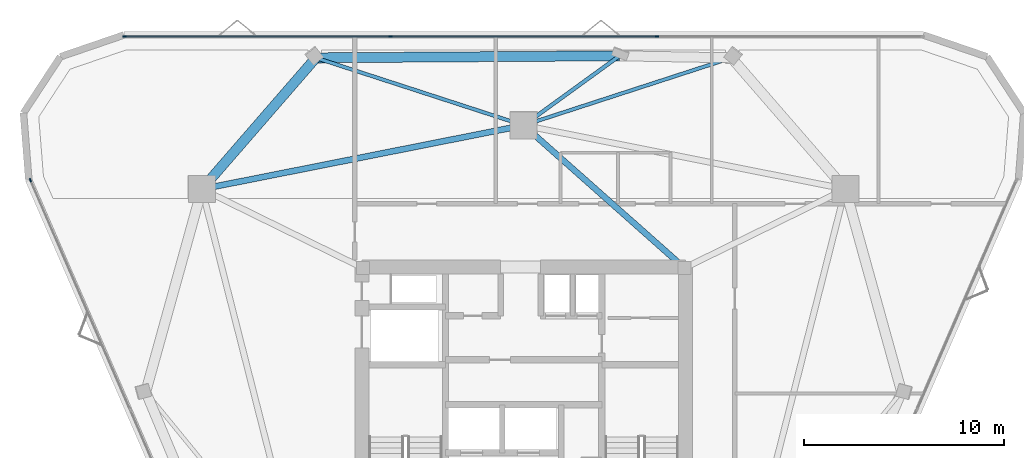
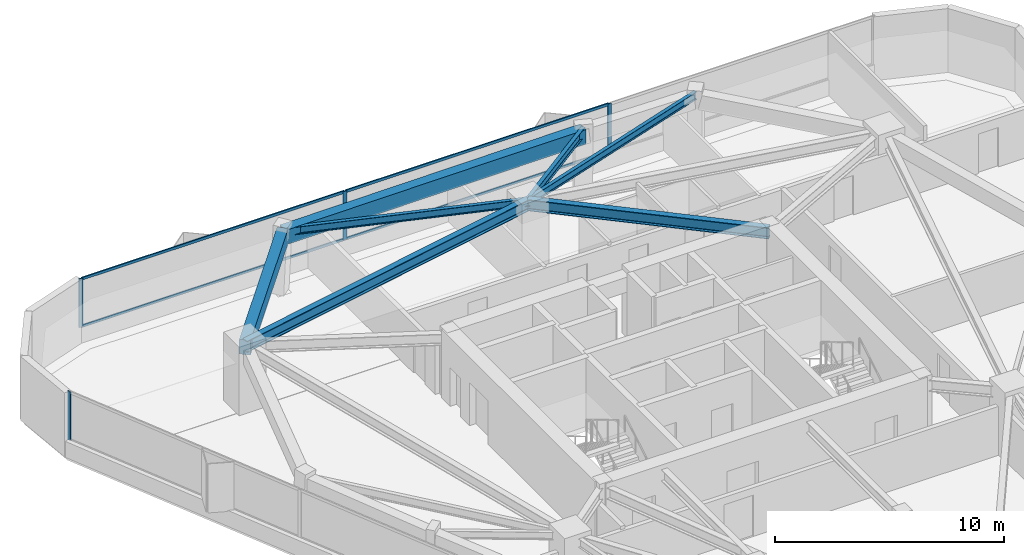
# One storey, part 7 of 13: 8 members, 7 beams, 2 elements without a shape of their own.
"""IFC4 building model written with IfcOpenShell, lengths in metres."""

import ifcopenshell
import ifcopenshell.guid

model = None  # the IFC model being written
_history = None  # IfcOwnerHistory: only IFC2X3 demands one
_inside = {}  # id of a spatial element -> (the spatial element, [elements in it])
_under = {}  # id of a project, library or spatial element -> (it, [spatial elements below it])
_declared = {}  # id of a project -> (the project, [libraries it declares])
_typed = {}  # id of a type object -> (the type object, [elements of that type])
_made_of = {}  # id of a material, layer set ... -> (it, [elements and type objects made of it])


def new_model(schema):
    """Start an empty IFC model of exactly this schema.

    Asked for "IFC4X3", IfcOpenShell would pick the latest addendum, in which some entities
    have other attributes; the version numbers below select the first issue.
    IFC2X3 requires an IfcOwnerHistory on every rooted entity: one is made here for all.
    """
    global model, _history
    if schema == "IFC4X3":
        model = ifcopenshell.file(schema_version=(4, 3, 0, 0))
    else:
        model = ifcopenshell.file(schema=schema)
    _inside.clear()
    _under.clear()
    _declared.clear()
    _typed.clear()
    _made_of.clear()
    _history = None
    if model.schema == "IFC2X3":
        org = make("IfcOrganization", Name="unknown")
        user = make(
            "IfcPersonAndOrganization",
            ThePerson=make("IfcPerson", FamilyName="unknown"),
            TheOrganization=org,
        )
        app = make(
            "IfcApplication",
            ApplicationDeveloper=org,
            Version="unknown",
            ApplicationFullName="unknown",
            ApplicationIdentifier="unknown",
        )
        _history = make(
            "IfcOwnerHistory",
            OwningUser=user,
            OwningApplication=app,
            ChangeAction="ADDED",
            CreationDate=0,
        )
    return model


def make(cls, **values):
    """One entity of the class cls with the attributes given. An attribute that is None is left unset."""
    return model.create_entity(
        cls, **{name: value for name, value in values.items() if value is not None}
    )


def rooted(cls, **values):
    """An entity with a GlobalId (a new one), such as an element, a storey or a relation."""
    return make(cls, GlobalId=ifcopenshell.guid.new(), OwnerHistory=_history, **values)


def si_unit(unit_type, name, prefix=None):
    """IfcSIUnit, for example si_unit("LENGTHUNIT", "METRE", prefix="MILLI")."""
    return make("IfcSIUnit", UnitType=unit_type, Prefix=prefix, Name=name)


def assignment(units):
    """IfcUnitAssignment: the units of a project."""
    return None if units is None else make("IfcUnitAssignment", Units=units)


def point(xyz):
    """IfcCartesianPoint."""
    return None if xyz is None else make("IfcCartesianPoint", Coordinates=xyz)


def direction(xyz):
    """IfcDirection."""
    return None if xyz is None else make("IfcDirection", DirectionRatios=xyz)


def frame(location, z_axis=None, x_axis=None):
    """IfcAxis2Placement3D, a coordinate frame: its origin and axes. An axis left out is left unset."""
    return make(
        "IfcAxis2Placement3D",
        Location=point(location),
        Axis=direction(z_axis),
        RefDirection=direction(x_axis),
    )


def frame_2d(location, x_axis=None):
    """IfcAxis2Placement2D, a coordinate frame in the plane: its origin and x axis."""
    return make(
        "IfcAxis2Placement2D", Location=point(location), RefDirection=direction(x_axis)
    )


def origin():
    """The frame at (0, 0, 0) with its axes left unset."""
    return frame((0.0, 0.0, 0.0))


def origin_2d():
    """The frame at (0, 0) in the plane with its x axis left unset."""
    return frame_2d((0.0, 0.0))


def place(relative_to, where):
    """IfcLocalPlacement: puts the frame where relative to a parent placement (None: the world)."""
    return make(
        "IfcLocalPlacement", PlacementRelTo=relative_to, RelativePlacement=where
    )


def context(
    kind, dimensions, precision=None, world=None, true_north=None, identifier=None
):
    """IfcGeometricRepresentationContext, for example the 3D "Model" context."""
    return make(
        "IfcGeometricRepresentationContext",
        ContextIdentifier=identifier,
        ContextType=kind,
        CoordinateSpaceDimension=dimensions,
        Precision=precision,
        WorldCoordinateSystem=world,
        TrueNorth=true_north,
    )


def subcontext(parent, identifier, kind, view, scale=None):
    """IfcGeometricRepresentationSubContext, for example "Body" below "Model"."""
    return make(
        "IfcGeometricRepresentationSubContext",
        ContextIdentifier=identifier,
        ContextType=kind,
        ParentContext=parent,
        TargetScale=scale,
        TargetView=view,
    )


def project(units=None, contexts=None):
    """IfcProject with its units and contexts."""
    return rooted(
        "IfcProject",
        Name="project",
        RepresentationContexts=contexts,
        UnitsInContext=assignment(units),
    )


def spatial(cls, under=None, at=None, **own):
    """A site, building, storey or space (cls), placed at a placement, below another one or the project."""
    s = rooted(cls, ObjectPlacement=at, **own)
    if under is not None:
        _under.setdefault(under.id(), (under, []))[1].append(s)
    return s


def profile(cls, at=None, kind="AREA", **sizes):
    """A parametric profile (cls). Its sizes go by their IFC names, for example OverallWidth=200.0."""
    return make(cls, ProfileType=kind, Position=at, **sizes)


def rectangle(**sizes):
    """IfcRectangleProfileDef."""
    return profile("IfcRectangleProfileDef", **sizes)


def i_section(**sizes):
    """IfcIShapeProfileDef."""
    return profile("IfcIShapeProfileDef", **sizes)


def extrude(swept, where, along, depth):
    """IfcExtrudedAreaSolid: the profile swept, set in the frame where, extruded along a direction by depth."""
    return make(
        "IfcExtrudedAreaSolid",
        SweptArea=swept,
        Position=where,
        ExtrudedDirection=direction(along),
        Depth=depth,
    )


def shape(context_of_items, identifier, shape_type, items):
    """IfcShapeRepresentation: the items that make up one representation, for example the "Body"."""
    return make(
        "IfcShapeRepresentation",
        ContextOfItems=context_of_items,
        RepresentationIdentifier=identifier,
        RepresentationType=shape_type,
        Items=items,
    )


def material(Name=None, Category=None):
    """IfcMaterial."""
    return make("IfcMaterial", Name=Name, Category=Category)


def layer(
    of_material, thickness, ventilated=None, Name=None, Category=None, Priority=None
):
    """IfcMaterialLayer: one layer of a wall or slab, of a material (None: an air gap)."""
    return make(
        "IfcMaterialLayer",
        Material=of_material,
        LayerThickness=thickness,
        IsVentilated=ventilated,
        Name=Name,
        Category=Category,
        Priority=Priority,
    )


def layer_set(layers, Name=None):
    """IfcMaterialLayerSet."""
    return make("IfcMaterialLayerSet", MaterialLayers=layers, LayerSetName=Name)


def material_profile(
    of_material, cross_section, Name=None, Category=None, Priority=None
):
    """IfcMaterialProfile: a cross section and its material."""
    return make(
        "IfcMaterialProfile",
        Name=Name,
        Material=of_material,
        Profile=cross_section,
        Priority=Priority,
        Category=Category,
    )


def profile_set(profiles, Name=None, composite=None):
    """IfcMaterialProfileSet."""
    return make(
        "IfcMaterialProfileSet",
        Name=Name,
        MaterialProfiles=profiles,
        CompositeProfile=composite,
    )


def made_of(thing, what):
    """Note that an element or type object is made of a material, layer set ...; save() writes the relation."""
    if what is not None:
        _made_of.setdefault(what.id(), (what, []))[1].append(thing)
    return thing


def type_object(cls, material=None, **own):
    """A type object (cls), such as IfcWallType, which elements share."""
    return made_of(rooted(cls, **own), material)


def element(
    cls,
    number,
    at=None,
    inside=None,
    cuts=None,
    type_object=None,
    material=None,
    context=None,
    identifier="Body",
    shape_type=None,
    held_by="IfcProductDefinitionShape",
    body=None,
    shapes=None,
    **own,
):
    """One element of the class cls, such as IfcWall. Its Tag is "e" and its number.

    at: its placement. inside: the storey or other place that contains it. cuts: it is an
    opening in that element (IfcRelVoidsElement). A single representation is given by context,
    identifier, shape_type and body (its items); several are given by shapes. held_by: the class
    of the entity that holds the representations. save() writes the other relations.
    """
    e = rooted(cls, Tag="e%d" % number, ObjectPlacement=at, **own)
    if body is not None:
        shapes = [shape(context, identifier, shape_type, body)]
    if shapes is not None:
        e.Representation = make(held_by, Representations=shapes)
    if inside is not None:
        _inside.setdefault(inside.id(), (inside, []))[1].append(e)
    if cuts is not None:
        rooted(
            "IfcRelVoidsElement", RelatingBuildingElement=cuts, RelatedOpeningElement=e
        )
    if type_object is not None:
        _typed.setdefault(type_object.id(), (type_object, []))[1].append(e)
    return made_of(e, material)


def aggregate(whole, parts):
    """IfcRelAggregates: a whole, such as a stair, and the parts it consists of."""
    return rooted("IfcRelAggregates", RelatingObject=whole, RelatedObjects=parts)


def save(model, path):
    """Write the relations noted so far, then the file.

    IfcRelAggregates (storeys below a building ...), IfcRelContainedInSpatialStructure (elements
    in a storey), IfcRelDefinesByType, IfcRelAssociatesMaterial and IfcRelDeclares: one each for
    every whole, place, type object, material and project.
    """
    for whole, parts in _under.values():
        aggregate(whole, parts)
    for where, things in _inside.values():
        rooted(
            "IfcRelContainedInSpatialStructure",
            RelatedElements=things,
            RelatingStructure=where,
        )
    for kind, things in _typed.values():
        rooted("IfcRelDefinesByType", RelatedObjects=things, RelatingType=kind)
    for what, things in _made_of.values():
        rooted("IfcRelAssociatesMaterial", RelatedObjects=things, RelatingMaterial=what)
    for by, libraries in _declared.values():
        rooted("IfcRelDeclares", RelatingContext=by, RelatedDefinitions=libraries)
    model.write(path)


model = new_model("IFC4")

# Units and contexts
model_context = context("Model", 3, precision=1e-05, world=origin(), true_north=direction((0.0, 1.0)))
body_context = subcontext(model_context, "Body", "Model", "MODEL_VIEW")
ifc_project = project(units=[si_unit("LENGTHUNIT", "METRE"), si_unit("AREAUNIT", "SQUARE_METRE"), si_unit("VOLUMEUNIT", "CUBIC_METRE"), si_unit("PLANEANGLEUNIT", "RADIAN"), si_unit("MASSUNIT", "GRAM", prefix="KILO")], contexts=[model_context])

# Site, building, storey
site_placement = place(None, origin())
site = spatial("IfcSite", under=ifc_project, at=site_placement, CompositionType="ELEMENT")
building_placement = place(site_placement, origin())
building = spatial("IfcBuilding", under=site, at=building_placement, Name="Talyreon Biosciences Tower", CompositionType="ELEMENT")
storey_placement = place(building_placement, frame((0.0, 0.0, 212.25)))
storey = spatial("IfcBuildingStorey", under=building, at=storey_placement, Name="L56", CompositionType="ELEMENT", Elevation=212.25)

# Curtain wall, member
ifc_material_1 = material(Name="Thermally broken aluminium and low-E glazing", Category="aluminium")
ifc_layer = layer(ifc_material_1, 0.179931640625)
ifc_layer_set = layer_set([ifc_layer], Name="Thermally broken aluminium and low-E glazing")
curtain_wall_type = type_object("IfcCurtainWallType", Name="CurtainWall_Zone4Optical", PredefinedType="NOTDEFINED", material=ifc_layer_set)
curtain_wall_1_placement = place(storey_placement, origin())
curtain_wall_1 = element("IfcCurtainWall", 1, at=curtain_wall_1_placement, inside=storey, type_object=curtain_wall_type, Name="L56 Unitised Curtain Wall FCW-L56-00", PredefinedType="NOTDEFINED")
ifc_material_2 = material(Name="Anodised thermally broken aluminium", Category="aluminium")
ifc_material_profile_1 = material_profile(ifc_material_2, rectangle(XDim=0.06494140625, YDim=0.179931640625, at=origin_2d()), Name="ALUM MULLION 65x180")
ifc_profile_set_1 = profile_set([ifc_material_profile_1], Name="Anodised thermally broken aluminium")
member_type_1 = type_object("IfcMemberType", Name="CWMullion_65x180", PredefinedType="MULLION", material=ifc_profile_set_1)
member_1_placement = place(storey_placement, frame((41.316650390625, 79.048828125, 0.81005859375), z_axis=(0.0, 0.0, 1.0), x_axis=(-0.917221993355, -0.398376473835, 0.0)))
member_1 = element("IfcMember", 2, at=member_1_placement, type_object=member_type_1, Name="CW5 mullion 5", PredefinedType="MULLION", context=body_context, shape_type="SweptSolid", body=[
    extrude(rectangle(XDim=0.06494140625, YDim=0.179931640625, at=origin_2d()), origin(), (0.0, 0.0, 1.0), 2.58984375),
])
aggregate(curtain_wall_1, [member_1])

# Curtain wall, members
curtain_wall_2_placement = place(storey_placement, origin())
curtain_wall_2 = element("IfcCurtainWall", 3, at=curtain_wall_2_placement, inside=storey, type_object=curtain_wall_type, Name="L56 Unitised Curtain Wall FCW-L56-04", PredefinedType="NOTDEFINED")
member_2_placement = place(storey_placement, frame((46.032470703125, 86.23828125, 0.81005859375), z_axis=(0.0, 0.0, 1.0), x_axis=(0.0, 1.0, 0.0)))
member_2 = element("IfcMember", 4, at=member_2_placement, type_object=member_type_1, Name="CW5 mullion 1", PredefinedType="MULLION", context=body_context, shape_type="SweptSolid", body=[
    extrude(rectangle(XDim=0.06494140625, YDim=0.179931640625, at=origin_2d()), origin(), (0.0, 0.0, 1.0), 2.58984375),
])
member_3_placement = place(storey_placement, frame((59.333251953125, 86.23828125, 0.81005859375), z_axis=(0.0, 0.0, 1.0), x_axis=(0.0, 1.0, 0.0)))
member_3 = element("IfcMember", 5, at=member_3_placement, type_object=member_type_1, Name="CW5 mullion 2", PredefinedType="MULLION", context=body_context, shape_type="SweptSolid", body=[
    extrude(rectangle(XDim=0.06494140625, YDim=0.179931640625, at=origin_2d()), origin(), (0.0, 0.0, 1.0), 2.58984375),
])
member_4_placement = place(storey_placement, frame((72.666748046875, 86.23828125, 0.81005859375), z_axis=(0.0, 0.0, 1.0), x_axis=(0.0, 1.0, 0.0)))
member_4 = element("IfcMember", 6, at=member_4_placement, type_object=member_type_1, Name="CW5 mullion 3", PredefinedType="MULLION", context=body_context, shape_type="SweptSolid", body=[
    extrude(rectangle(XDim=0.06494140625, YDim=0.179931640625, at=origin_2d()), origin(), (0.0, 0.0, 1.0), 2.58984375),
])
ifc_material_profile_2 = material_profile(ifc_material_2, rectangle(XDim=0.06494140625, YDim=0.139892578125, at=origin_2d()), Name="ALUM TRANSOM 65x140")
ifc_profile_set_2 = profile_set([ifc_material_profile_2], Name="Anodised thermally broken aluminium")
member_type_2 = type_object("IfcMemberType", Name="CWTransom_65x140", PredefinedType="USERDEFINED", material=ifc_profile_set_2)
member_5_placement = place(storey_placement, frame((46.06494140625, 86.23828125, 0.842529296875), z_axis=(1.0, 0.0, 0.0), x_axis=(0.0, 1.0, 0.0)))
member_5 = element("IfcMember", 7, at=member_5_placement, type_object=member_type_2, Name="CW5 transom 1.1", ObjectType="TRANSOM", PredefinedType="USERDEFINED", context=body_context, shape_type="SweptSolid", body=[
    extrude(rectangle(XDim=0.06494140625, YDim=0.139892578125, at=origin_2d()), origin(), (0.0, 0.0, 1.0), 13.23583984375),
])
member_6_placement = place(storey_placement, frame((46.06494140625, 86.23828125, 3.367431640625), z_axis=(1.0, 0.0, 0.0), x_axis=(0.0, 1.0, 0.0)))
member_6 = element("IfcMember", 8, at=member_6_placement, type_object=member_type_2, Name="CW5 transom 1.2", ObjectType="TRANSOM", PredefinedType="USERDEFINED", context=body_context, shape_type="SweptSolid", body=[
    extrude(rectangle(XDim=0.06494140625, YDim=0.139892578125, at=origin_2d()), origin(), (0.0, 0.0, 1.0), 13.23583984375),
])
member_7_placement = place(storey_placement, frame((59.36572265625, 86.23828125, 0.842529296875), z_axis=(1.0, 0.0, 0.0), x_axis=(0.0, 1.0, 0.0)))
member_7 = element("IfcMember", 9, at=member_7_placement, type_object=member_type_2, Name="CW5 transom 2.1", ObjectType="TRANSOM", PredefinedType="USERDEFINED", context=body_context, shape_type="SweptSolid", body=[
    extrude(rectangle(XDim=0.06494140625, YDim=0.139892578125, at=origin_2d()), origin(), (0.0, 0.0, 1.0), 13.2685546875),
])
member_8_placement = place(storey_placement, frame((59.36572265625, 86.23828125, 3.367431640625), z_axis=(1.0, 0.0, 0.0), x_axis=(0.0, 1.0, 0.0)))
member_8 = element("IfcMember", 10, at=member_8_placement, type_object=member_type_2, Name="CW5 transom 2.2", ObjectType="TRANSOM", PredefinedType="USERDEFINED", context=body_context, shape_type="SweptSolid", body=[
    extrude(rectangle(XDim=0.06494140625, YDim=0.139892578125, at=origin_2d()), origin(), (0.0, 0.0, 1.0), 13.2685546875),
])
aggregate(curtain_wall_2, [member_2, member_3, member_4, member_5, member_6, member_7, member_8])

# Beams
ifc_material_3 = material(Name="Precast concrete C45/55", Category="concrete")
ifc_material_profile_3 = material_profile(ifc_material_3, rectangle(XDim=0.5, YDim=0.780029296875, at=origin_2d()), Name="RCB 500x780")
ifc_profile_set_3 = profile_set([ifc_material_profile_3], Name="Precast concrete C45/55")
beam_type_1 = type_object("IfcBeamType", Name="ExpressedSpandrel_500x780", PredefinedType="SPANDREL", material=ifc_profile_set_3)
beam_1_placement = place(storey_placement, frame((70.800048828125, 85.268310546875, 3.010009765625), z_axis=(-0.999978422641, -0.006569189593, 0.0), x_axis=(0.006569189593, -0.999978422641, 0.0)))
element("IfcBeam", 11, at=beam_1_placement, inside=storey, type_object=beam_type_1, Name="L56 Expressed Horizontal Concrete Spandrel 07", PredefinedType="SPANDREL", context=body_context, shape_type="SweptSolid", body=[
    extrude(rectangle(XDim=0.5, YDim=0.780029296875, at=origin_2d()), origin(), (0.0, 0.0, 1.0), 15.2001953125),
])
beam_2_placement = place(storey_placement, frame((55.60009765625, 85.16845703125, 3.010009765625), z_axis=(-0.655491282226, -0.755202740279, 0.0), x_axis=(0.755202740279, -0.655491282226, 0.0)))
element("IfcBeam", 12, at=beam_2_placement, inside=storey, type_object=beam_type_1, Name="L56 Expressed Horizontal Concrete Spandrel 08", PredefinedType="SPANDREL", context=body_context, shape_type="SweptSolid", body=[
    extrude(rectangle(XDim=0.5, YDim=0.780029296875, at=origin_2d()), origin(), (0.0, 0.0, 1.0), 8.699462890625),
])
ifc_material_4 = material(Name="Steel SM355", Category="steel")
ifc_material_profile_4 = material_profile(ifc_material_4, i_section(OverallWidth=0.300048828125, OverallDepth=0.60009765625, WebThickness=0.015380859375, FlangeThickness=0.030029296875, FilletRadius=0.027099609375, at=origin_2d()), Name="HE600B")
ifc_profile_set_4 = profile_set([ifc_material_profile_4], Name="Steel SM355")
beam_type_2 = type_object("IfcBeamType", Name="SteelBeam_HE600B", PredefinedType="BEAM", material=ifc_profile_set_4)
beam_3_placement = place(storey_placement, frame((66.0, 81.788818359375, 3.10009765625), z_axis=(-0.980933730698, -0.194342522311, 0.0), x_axis=(0.194342522311, -0.980933730698, 0.0)))
element("IfcBeam", 13, at=beam_3_placement, inside=storey, type_object=beam_type_2, Name="L56 Mega-Ring Girder 4", PredefinedType="BEAM", context=body_context, shape_type="SweptSolid", body=[
    extrude(i_section(OverallWidth=0.300048828125, OverallDepth=0.60009765625, WebThickness=0.015380859375, FlangeThickness=0.030029296875, FilletRadius=0.027099609375, at=origin_2d()), origin(), (0.0, 0.0, 1.0), 16.415283203125),
])
beam_4_placement = place(storey_placement, frame((74.050048828125, 74.64990234375, 3.10009765625), z_axis=(-0.748178733955, 0.663497235908, 0.0), x_axis=(-0.663497235908, -0.748178733955, 0.0)))
element("IfcBeam", 14, at=beam_4_placement, inside=storey, type_object=beam_type_2, Name="L56 Radial Primary Girder 4", PredefinedType="BEAM", context=body_context, shape_type="SweptSolid", body=[
    extrude(i_section(OverallWidth=0.300048828125, OverallDepth=0.60009765625, WebThickness=0.015380859375, FlangeThickness=0.030029296875, FilletRadius=0.027099609375, at=origin_2d()), origin(), (0.0, 0.0, 1.0), 10.759521484375),
])
ifc_material_profile_5 = material_profile(ifc_material_4, i_section(OverallWidth=0.179931640625, OverallDepth=0.39990234375, WebThickness=0.008544921875, FlangeThickness=0.013427734375, FilletRadius=0.02099609375, at=origin_2d()), Name="IPE400")
ifc_profile_set_5 = profile_set([ifc_material_profile_5], Name="Steel SM355")
beam_type_3 = type_object("IfcBeamType", Name="SteelJoist_IPE400", PredefinedType="JOIST", material=ifc_profile_set_5)
for number, where, z_axis, x_axis, name in (
    (15, (66.0, 81.788818359375, 3.199951171875), (0.951042928064, 0.309058811521, 0.0), (-0.309058811521, 0.951042928064, 0.0), "L56 Radial Composite Floor Joist PC-N1"),
    (16, (66.0, 81.788818359375, 3.199951171875), (-0.951042928064, 0.309058811521, 0.0), (-0.309058811521, -0.951042928064, 0.0), "L56 Radial Composite Floor Joist PC-N2"),
):
    element("IfcBeam", number, at=place(storey_placement, frame(where, z_axis=z_axis, x_axis=x_axis)), inside=storey, type_object=beam_type_3, Name=name, PredefinedType="JOIST", context=body_context, shape_type="SweptSolid", body=[
        extrude(i_section(OverallWidth=0.179931640625, OverallDepth=0.39990234375, WebThickness=0.008544921875, FlangeThickness=0.013427734375, FilletRadius=0.02099609375, at=origin_2d()), origin(), (0.0, 0.0, 1.0), 10.935302734375),
    ])
ifc_material_profile_6 = material_profile(ifc_material_4, i_section(OverallWidth=0.18994140625, OverallDepth=0.449951171875, WebThickness=0.009521484375, FlangeThickness=0.0146484375, FilletRadius=0.02099609375, at=origin_2d()), Name="IPE450")
ifc_profile_set_6 = profile_set([ifc_material_profile_6], Name="Steel SM355")
beam_type_4 = type_object("IfcBeamType", Name="SteelJoist_IPE450", PredefinedType="JOIST", material=ifc_profile_set_6)
beam_5_placement = place(storey_placement, frame((66.0, 81.788818359375, 3.175048828125), z_axis=(0.809653983739, 0.586907511126, 0.0), x_axis=(-0.586907511126, 0.809653983739, 0.0)))
element("IfcBeam", 17, at=beam_5_placement, inside=storey, type_object=beam_type_4, Name="L56 Radial Composite Floor Joist PL-N", PredefinedType="JOIST", context=body_context, shape_type="SweptSolid", body=[
    extrude(i_section(OverallWidth=0.18994140625, OverallDepth=0.449951171875, WebThickness=0.009521484375, FlangeThickness=0.0146484375, FilletRadius=0.02099609375, at=origin_2d()), origin(), (0.0, 0.0, 1.0), 5.928466796875),
])

save(model, "model.ifc")
